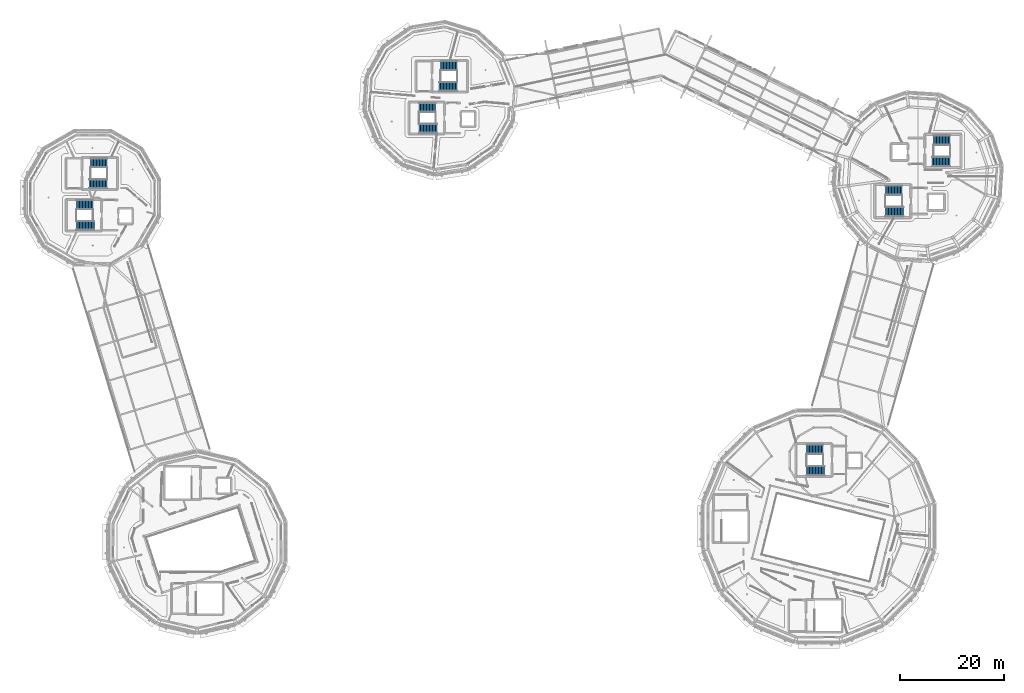
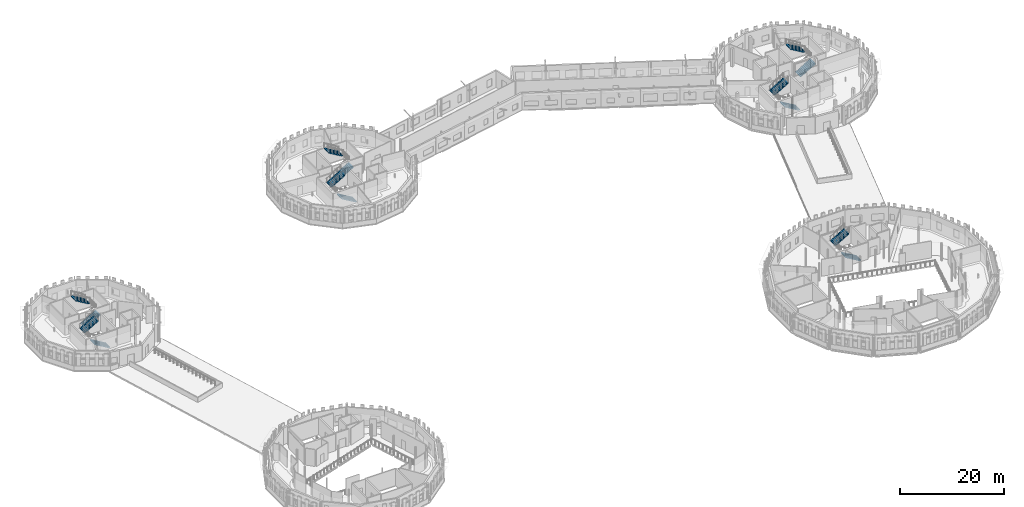
# One storey, part 54 of 68: 14 stair flights, 7 elements without a shape of their own.
"""IFC4 building model written with IfcOpenShell, lengths in metres."""

from ifc_helpers import new_model, si_unit, direction, frame, origin, place, context, subcontext, project, spatial, polyline, outline, extrude, material, type_object, element, aggregate, save


model = new_model("IFC4")

# Units and contexts
model_context = context("Model", 3, precision=1e-05, world=origin(), true_north=direction((0.0, 1.0)))
body_context = subcontext(model_context, "Body", "Model", "MODEL_VIEW")
ifc_project = project(units=[si_unit("LENGTHUNIT", "METRE"), si_unit("AREAUNIT", "SQUARE_METRE"), si_unit("VOLUMEUNIT", "CUBIC_METRE"), si_unit("PLANEANGLEUNIT", "RADIAN"), si_unit("MASSUNIT", "GRAM", prefix="KILO")], contexts=[model_context])

# Site, building, storey
site_placement = place(None, origin())
site = spatial("IfcSite", under=ifc_project, at=site_placement, CompositionType="ELEMENT")
building_placement = place(site_placement, origin())
building = spatial("IfcBuilding", under=site, at=building_placement, Name="Wrenclough Park School", CompositionType="ELEMENT")
storey_placement = place(building_placement, frame((0.0, 0.0, 12.60009765625)))
storey = spatial("IfcBuildingStorey", under=building, at=storey_placement, Name="L03", CompositionType="ELEMENT", Elevation=12.60009765625)

# Stair, stair flights
ifc_material = material(Name="Precast concrete C40/50", Category="concrete")
stair_type_1 = type_object("IfcStairType", Name="INT-ST-180-42", PredefinedType="HALF_TURN_STAIR", material=ifc_material)
stair_1_placement = place(storey_placement, origin())
stair_1 = element("IfcStair", 1, at=stair_1_placement, inside=storey, type_object=stair_type_1, Name="L03 escape stair ST-03", PredefinedType="HALF_TURN_STAIR")
stair_flight_type_1 = type_object("IfcStairFlightType", Name="INT-FL-180-168", PredefinedType="STRAIGHT", material=ifc_material)
stair_flight_1_placement = place(storey_placement, frame((16.840087890625, 84.10009765625, 0.0), z_axis=(0.0, 0.0, 1.0), x_axis=(-1.0, 0.0, 0.0)))
stair_flight_1 = element("IfcStairFlight", 2, at=stair_flight_1_placement, type_object=stair_flight_type_1, Name="ST-03 flight 1", NumberOfRisers=13, NumberOfTreads=12, PredefinedType="STRAIGHT", RiserHeight=0.168, TreadLength=0.285, context=body_context, shape_type="SweptSolid", body=[
    extrude(outline(polyline([(0.0, 0.0), (0.0, 0.16796875), (0.284912109375, 0.16796875), (0.284912109375, 0.3359375), (0.570068359375, 0.3359375), (0.570068359375, 0.50390625), (0.85498046875, 0.50390625), (0.85498046875, 0.672119140625), (1.139892578125, 0.672119140625), (1.139892578125, 0.840087890625), (1.425048828125, 0.840087890625), (1.425048828125, 1.008056640625), (1.7099609375, 1.008056640625), (1.7099609375, 1.176025390625), (1.9951171875, 1.176025390625), (1.9951171875, 1.343994140625), (2.280029296875, 1.343994140625), (2.280029296875, 1.511962890625), (2.56494140625, 1.511962890625), (2.56494140625, 1.679931640625), (2.85009765625, 1.679931640625), (2.85009765625, 1.847900390625), (3.135009765625, 1.847900390625), (3.135009765625, 2.01611328125), (3.419921875, 2.01611328125), (3.419921875, 2.18408203125), (3.419921875, 1.80712890625), (0.354248046875, 0.0), (0.0, 0.0)])), frame((0.0, 0.89990234375, 0.0), z_axis=(0.0, -1.0, 0.0), x_axis=(1.0, 0.0, 0.0)), (0.0, 0.0, 1.0), 1.800048828125),
])
stair_flight_2_placement = place(storey_placement, frame((13.419921875, 88.10009765625, 2.183837890625), z_axis=(0.0, 0.0, 1.0), x_axis=(1.0, 0.0, 0.0)))
stair_flight_2 = element("IfcStairFlight", 3, at=stair_flight_2_placement, type_object=stair_flight_type_1, Name="ST-03 flight 2", NumberOfRisers=12, NumberOfTreads=11, PredefinedType="STRAIGHT", RiserHeight=0.168, TreadLength=0.285, context=body_context, shape_type="SweptSolid", body=[
    extrude(outline(polyline([(0.0, 0.0), (0.0, 0.16796875), (0.284912109375, 0.16796875), (0.284912109375, 0.3359375), (0.570068359375, 0.3359375), (0.570068359375, 0.50390625), (0.85498046875, 0.50390625), (0.85498046875, 0.672119140625), (1.139892578125, 0.672119140625), (1.139892578125, 0.840087890625), (1.425048828125, 0.840087890625), (1.425048828125, 1.008056640625), (1.7099609375, 1.008056640625), (1.7099609375, 1.176025390625), (1.9951171875, 1.176025390625), (1.9951171875, 1.343994140625), (2.280029296875, 1.343994140625), (2.280029296875, 1.511962890625), (2.56494140625, 1.511962890625), (2.56494140625, 1.679931640625), (2.85009765625, 1.679931640625), (2.85009765625, 1.847900390625), (3.135009765625, 1.847900390625), (3.135009765625, 2.01611328125), (3.135009765625, 1.63916015625), (0.354248046875, 0.0), (0.0, 0.0)])), frame((0.0, 0.89990234375, 0.0), z_axis=(0.0, -1.0, 0.0), x_axis=(1.0, 0.0, 0.0)), (0.0, 0.0, 1.0), 1.800048828125),
])
aggregate(stair_1, [stair_flight_1, stair_flight_2])

stair_2_placement = place(storey_placement, origin())
stair_2 = element("IfcStair", 4, at=stair_2_placement, inside=storey, type_object=stair_type_1, Name="L03 escape stair ST-07", PredefinedType="HALF_TURN_STAIR")
stair_flight_3_placement = place(storey_placement, frame((15.860107421875, 92.10009765625, 0.0), z_axis=(0.0, 0.0, 1.0), x_axis=(1.0, 0.0, 0.0)))
stair_flight_3 = element("IfcStairFlight", 5, at=stair_flight_3_placement, type_object=stair_flight_type_1, Name="ST-07 flight 1", NumberOfRisers=13, NumberOfTreads=12, PredefinedType="STRAIGHT", RiserHeight=0.168, TreadLength=0.285, context=body_context, shape_type="SweptSolid", body=[
    extrude(outline(polyline([(0.0, 0.0), (0.0, 0.16796875), (0.284912109375, 0.16796875), (0.284912109375, 0.3359375), (0.570068359375, 0.3359375), (0.570068359375, 0.50390625), (0.85498046875, 0.50390625), (0.85498046875, 0.672119140625), (1.139892578125, 0.672119140625), (1.139892578125, 0.840087890625), (1.425048828125, 0.840087890625), (1.425048828125, 1.008056640625), (1.7099609375, 1.008056640625), (1.7099609375, 1.176025390625), (1.9951171875, 1.176025390625), (1.9951171875, 1.343994140625), (2.280029296875, 1.343994140625), (2.280029296875, 1.511962890625), (2.56494140625, 1.511962890625), (2.56494140625, 1.679931640625), (2.85009765625, 1.679931640625), (2.85009765625, 1.847900390625), (3.135009765625, 1.847900390625), (3.135009765625, 2.01611328125), (3.419921875, 2.01611328125), (3.419921875, 2.18408203125), (3.419921875, 1.80712890625), (0.354248046875, 0.0), (0.0, 0.0)])), frame((0.0, 0.89990234375, 0.0), z_axis=(0.0, -1.0, 0.0), x_axis=(1.0, 0.0, 0.0)), (0.0, 0.0, 1.0), 1.800048828125),
])
stair_flight_4_placement = place(storey_placement, frame((19.280029296875, 96.10009765625, 2.183837890625), z_axis=(0.0, 0.0, 1.0), x_axis=(-1.0, 0.0, 0.0)))
stair_flight_4 = element("IfcStairFlight", 6, at=stair_flight_4_placement, type_object=stair_flight_type_1, Name="ST-07 flight 2", NumberOfRisers=12, NumberOfTreads=11, PredefinedType="STRAIGHT", RiserHeight=0.168, TreadLength=0.285, context=body_context, shape_type="SweptSolid", body=[
    extrude(outline(polyline([(0.0, 0.0), (0.0, 0.16796875), (0.284912109375, 0.16796875), (0.284912109375, 0.3359375), (0.570068359375, 0.3359375), (0.570068359375, 0.50390625), (0.85498046875, 0.50390625), (0.85498046875, 0.672119140625), (1.139892578125, 0.672119140625), (1.139892578125, 0.840087890625), (1.425048828125, 0.840087890625), (1.425048828125, 1.008056640625), (1.7099609375, 1.008056640625), (1.7099609375, 1.176025390625), (1.9951171875, 1.176025390625), (1.9951171875, 1.343994140625), (2.280029296875, 1.343994140625), (2.280029296875, 1.511962890625), (2.56494140625, 1.511962890625), (2.56494140625, 1.679931640625), (2.85009765625, 1.679931640625), (2.85009765625, 1.847900390625), (3.135009765625, 1.847900390625), (3.135009765625, 2.01611328125), (3.135009765625, 1.63916015625), (0.354248046875, 0.0), (0.0, 0.0)])), frame((0.0, 0.89990234375, 0.0), z_axis=(0.0, -1.0, 0.0), x_axis=(1.0, 0.0, 0.0)), (0.0, 0.0, 1.0), 1.800048828125),
])
aggregate(stair_2, [stair_flight_3, stair_flight_4])

stair_3_placement = place(storey_placement, origin())
stair_3 = element("IfcStair", 7, at=stair_3_placement, inside=storey, type_object=stair_type_1, Name="L03 escape stair ST-04", PredefinedType="HALF_TURN_STAIR")
stair_flight_5_placement = place(storey_placement, frame((82.43994140625, 102.699951171875, 0.0), z_axis=(0.0, 0.0, 1.0), x_axis=(-1.0, 0.0, 0.0)))
stair_flight_5 = element("IfcStairFlight", 8, at=stair_flight_5_placement, type_object=stair_flight_type_1, Name="ST-04 flight 1", NumberOfRisers=13, NumberOfTreads=12, PredefinedType="STRAIGHT", RiserHeight=0.168, TreadLength=0.285, context=body_context, shape_type="SweptSolid", body=[
    extrude(outline(polyline([(0.0, 0.0), (0.0, 0.16796875), (0.284912109375, 0.16796875), (0.284912109375, 0.3359375), (0.570068359375, 0.3359375), (0.570068359375, 0.50390625), (0.85498046875, 0.50390625), (0.85498046875, 0.672119140625), (1.139892578125, 0.672119140625), (1.139892578125, 0.840087890625), (1.425048828125, 0.840087890625), (1.425048828125, 1.008056640625), (1.7099609375, 1.008056640625), (1.7099609375, 1.176025390625), (1.9951171875, 1.176025390625), (1.9951171875, 1.343994140625), (2.280029296875, 1.343994140625), (2.280029296875, 1.511962890625), (2.56494140625, 1.511962890625), (2.56494140625, 1.679931640625), (2.85009765625, 1.679931640625), (2.85009765625, 1.847900390625), (3.135009765625, 1.847900390625), (3.135009765625, 2.01611328125), (3.419921875, 2.01611328125), (3.419921875, 2.18408203125), (3.419921875, 1.80712890625), (0.354248046875, 0.0), (0.0, 0.0)])), frame((0.0, 0.89990234375, 0.0), z_axis=(0.0, -1.0, 0.0), x_axis=(1.0, 0.0, 0.0)), (0.0, 0.0, 1.0), 1.800048828125),
])
stair_flight_6_placement = place(storey_placement, frame((79.02001953125, 106.699951171875, 2.183837890625), z_axis=(0.0, 0.0, 1.0), x_axis=(1.0, 0.0, 0.0)))
stair_flight_6 = element("IfcStairFlight", 9, at=stair_flight_6_placement, type_object=stair_flight_type_1, Name="ST-04 flight 2", NumberOfRisers=12, NumberOfTreads=11, PredefinedType="STRAIGHT", RiserHeight=0.168, TreadLength=0.285, context=body_context, shape_type="SweptSolid", body=[
    extrude(outline(polyline([(0.0, 0.0), (0.0, 0.16796875), (0.284912109375, 0.16796875), (0.284912109375, 0.3359375), (0.570068359375, 0.3359375), (0.570068359375, 0.50390625), (0.85498046875, 0.50390625), (0.85498046875, 0.672119140625), (1.139892578125, 0.672119140625), (1.139892578125, 0.840087890625), (1.425048828125, 0.840087890625), (1.425048828125, 1.008056640625), (1.7099609375, 1.008056640625), (1.7099609375, 1.176025390625), (1.9951171875, 1.176025390625), (1.9951171875, 1.343994140625), (2.280029296875, 1.343994140625), (2.280029296875, 1.511962890625), (2.56494140625, 1.511962890625), (2.56494140625, 1.679931640625), (2.85009765625, 1.679931640625), (2.85009765625, 1.847900390625), (3.135009765625, 1.847900390625), (3.135009765625, 2.01611328125), (3.135009765625, 1.63916015625), (0.354248046875, 0.0), (0.0, 0.0)])), frame((0.0, 0.89990234375, 0.0), z_axis=(0.0, -1.0, 0.0), x_axis=(1.0, 0.0, 0.0)), (0.0, 0.0, 1.0), 1.800048828125),
])
aggregate(stair_3, [stair_flight_5, stair_flight_6])

stair_4_placement = place(storey_placement, origin())
stair_4 = element("IfcStair", 10, at=stair_4_placement, inside=storey, type_object=stair_type_1, Name="L03 escape stair ST-08", PredefinedType="HALF_TURN_STAIR")
stair_flight_7_placement = place(storey_placement, frame((82.860107421875, 110.699951171875, 0.0), z_axis=(0.0, 0.0, 1.0), x_axis=(1.0, 0.0, 0.0)))
stair_flight_7 = element("IfcStairFlight", 11, at=stair_flight_7_placement, type_object=stair_flight_type_1, Name="ST-08 flight 1", NumberOfRisers=13, NumberOfTreads=12, PredefinedType="STRAIGHT", RiserHeight=0.168, TreadLength=0.285, context=body_context, shape_type="SweptSolid", body=[
    extrude(outline(polyline([(0.0, 0.0), (0.0, 0.16796875), (0.284912109375, 0.16796875), (0.284912109375, 0.3359375), (0.570068359375, 0.3359375), (0.570068359375, 0.50390625), (0.85498046875, 0.50390625), (0.85498046875, 0.672119140625), (1.139892578125, 0.672119140625), (1.139892578125, 0.840087890625), (1.425048828125, 0.840087890625), (1.425048828125, 1.008056640625), (1.7099609375, 1.008056640625), (1.7099609375, 1.176025390625), (1.9951171875, 1.176025390625), (1.9951171875, 1.343994140625), (2.280029296875, 1.343994140625), (2.280029296875, 1.511962890625), (2.56494140625, 1.511962890625), (2.56494140625, 1.679931640625), (2.85009765625, 1.679931640625), (2.85009765625, 1.847900390625), (3.135009765625, 1.847900390625), (3.135009765625, 2.01611328125), (3.419921875, 2.01611328125), (3.419921875, 2.18408203125), (3.419921875, 1.80712890625), (0.354248046875, 0.0), (0.0, 0.0)])), frame((0.0, 0.89990234375, 0.0), z_axis=(0.0, -1.0, 0.0), x_axis=(1.0, 0.0, 0.0)), (0.0, 0.0, 1.0), 1.800048828125),
])
stair_flight_8_placement = place(storey_placement, frame((86.280029296875, 114.699951171875, 2.183837890625), z_axis=(0.0, 0.0, 1.0), x_axis=(-1.0, 0.0, 0.0)))
stair_flight_8 = element("IfcStairFlight", 12, at=stair_flight_8_placement, type_object=stair_flight_type_1, Name="ST-08 flight 2", NumberOfRisers=12, NumberOfTreads=11, PredefinedType="STRAIGHT", RiserHeight=0.168, TreadLength=0.285, context=body_context, shape_type="SweptSolid", body=[
    extrude(outline(polyline([(0.0, 0.0), (0.0, 0.16796875), (0.284912109375, 0.16796875), (0.284912109375, 0.3359375), (0.570068359375, 0.3359375), (0.570068359375, 0.50390625), (0.85498046875, 0.50390625), (0.85498046875, 0.672119140625), (1.139892578125, 0.672119140625), (1.139892578125, 0.840087890625), (1.425048828125, 0.840087890625), (1.425048828125, 1.008056640625), (1.7099609375, 1.008056640625), (1.7099609375, 1.176025390625), (1.9951171875, 1.176025390625), (1.9951171875, 1.343994140625), (2.280029296875, 1.343994140625), (2.280029296875, 1.511962890625), (2.56494140625, 1.511962890625), (2.56494140625, 1.679931640625), (2.85009765625, 1.679931640625), (2.85009765625, 1.847900390625), (3.135009765625, 1.847900390625), (3.135009765625, 2.01611328125), (3.135009765625, 1.63916015625), (0.354248046875, 0.0), (0.0, 0.0)])), frame((0.0, 0.89990234375, 0.0), z_axis=(0.0, -1.0, 0.0), x_axis=(1.0, 0.0, 0.0)), (0.0, 0.0, 1.0), 1.800048828125),
])
aggregate(stair_4, [stair_flight_7, stair_flight_8])

stair_type_2 = type_object("IfcStairType", Name="INT-ST-190-42", PredefinedType="HALF_TURN_STAIR", material=ifc_material)
stair_5_placement = place(storey_placement, origin())
stair_5 = element("IfcStair", 13, at=stair_5_placement, inside=storey, type_object=stair_type_2, Name="L03 escape stair ST-01", PredefinedType="HALF_TURN_STAIR")
stair_flight_type_2 = type_object("IfcStairFlightType", Name="INT-FL-190-168", PredefinedType="STRAIGHT", material=ifc_material)
stair_flight_9_placement = place(storey_placement, frame((156.639892578125, 37.14990234375, 0.0), z_axis=(0.0, 0.0, 1.0), x_axis=(-1.0, 0.0, 0.0)))
stair_flight_9 = element("IfcStairFlight", 14, at=stair_flight_9_placement, type_object=stair_flight_type_2, Name="ST-01 flight 1", NumberOfRisers=13, NumberOfTreads=12, PredefinedType="STRAIGHT", RiserHeight=0.168, TreadLength=0.285, context=body_context, shape_type="SweptSolid", body=[
    extrude(outline(polyline([(0.0, 0.0), (0.0, 0.16796875), (0.284912109375, 0.16796875), (0.284912109375, 0.3359375), (0.570068359375, 0.3359375), (0.570068359375, 0.50390625), (0.85498046875, 0.50390625), (0.85498046875, 0.672119140625), (1.139892578125, 0.672119140625), (1.139892578125, 0.840087890625), (1.425048828125, 0.840087890625), (1.425048828125, 1.008056640625), (1.7099609375, 1.008056640625), (1.7099609375, 1.176025390625), (1.9951171875, 1.176025390625), (1.9951171875, 1.343994140625), (2.280029296875, 1.343994140625), (2.280029296875, 1.511962890625), (2.56494140625, 1.511962890625), (2.56494140625, 1.679931640625), (2.85009765625, 1.679931640625), (2.85009765625, 1.847900390625), (3.135009765625, 1.847900390625), (3.135009765625, 2.01611328125), (3.419921875, 2.01611328125), (3.419921875, 2.18408203125), (3.419921875, 1.80126953125), (0.364501953125, 0.0), (0.0, 0.0)])), frame((0.0, 0.949951171875, 0.0), z_axis=(0.0, -1.0, 0.0), x_axis=(1.0, 0.0, 0.0)), (0.0, 0.0, 1.0), 1.89990234375),
])
stair_flight_10_placement = place(storey_placement, frame((153.219970703125, 41.25, 2.183837890625), z_axis=(0.0, 0.0, 1.0), x_axis=(1.0, 0.0, 0.0)))
stair_flight_10 = element("IfcStairFlight", 15, at=stair_flight_10_placement, type_object=stair_flight_type_2, Name="ST-01 flight 2", NumberOfRisers=12, NumberOfTreads=11, PredefinedType="STRAIGHT", RiserHeight=0.168, TreadLength=0.285, context=body_context, shape_type="SweptSolid", body=[
    extrude(outline(polyline([(0.0, 0.0), (0.0, 0.16796875), (0.284912109375, 0.16796875), (0.284912109375, 0.3359375), (0.570068359375, 0.3359375), (0.570068359375, 0.50390625), (0.85498046875, 0.50390625), (0.85498046875, 0.672119140625), (1.139892578125, 0.672119140625), (1.139892578125, 0.840087890625), (1.425048828125, 0.840087890625), (1.425048828125, 1.008056640625), (1.7099609375, 1.008056640625), (1.7099609375, 1.176025390625), (1.9951171875, 1.176025390625), (1.9951171875, 1.343994140625), (2.280029296875, 1.343994140625), (2.280029296875, 1.511962890625), (2.56494140625, 1.511962890625), (2.56494140625, 1.679931640625), (2.85009765625, 1.679931640625), (2.85009765625, 1.847900390625), (3.135009765625, 1.847900390625), (3.135009765625, 2.01611328125), (3.135009765625, 1.63330078125), (0.364501953125, 0.0), (0.0, 0.0)])), frame((0.0, 0.949951171875, 0.0), z_axis=(0.0, -1.0, 0.0), x_axis=(1.0, 0.0, 0.0)), (0.0, 0.0, 1.0), 1.89990234375),
])
aggregate(stair_5, [stair_flight_9, stair_flight_10])

stair_6_placement = place(storey_placement, origin())
stair_6 = element("IfcStair", 16, at=stair_6_placement, inside=storey, type_object=stair_type_2, Name="L03 escape stair ST-05", PredefinedType="HALF_TURN_STAIR")
stair_flight_11_placement = place(storey_placement, frame((171.739990234375, 86.75, 0.0), z_axis=(0.0, 0.0, 1.0), x_axis=(-1.0, 0.0, 0.0)))
stair_flight_11 = element("IfcStairFlight", 17, at=stair_flight_11_placement, type_object=stair_flight_type_2, Name="ST-05 flight 1", NumberOfRisers=13, NumberOfTreads=12, PredefinedType="STRAIGHT", RiserHeight=0.168, TreadLength=0.285, context=body_context, shape_type="SweptSolid", body=[
    extrude(outline(polyline([(0.0, 0.0), (0.0, 0.16796875), (0.284912109375, 0.16796875), (0.284912109375, 0.3359375), (0.570068359375, 0.3359375), (0.570068359375, 0.50390625), (0.85498046875, 0.50390625), (0.85498046875, 0.672119140625), (1.139892578125, 0.672119140625), (1.139892578125, 0.840087890625), (1.425048828125, 0.840087890625), (1.425048828125, 1.008056640625), (1.7099609375, 1.008056640625), (1.7099609375, 1.176025390625), (1.9951171875, 1.176025390625), (1.9951171875, 1.343994140625), (2.280029296875, 1.343994140625), (2.280029296875, 1.511962890625), (2.56494140625, 1.511962890625), (2.56494140625, 1.679931640625), (2.85009765625, 1.679931640625), (2.85009765625, 1.847900390625), (3.135009765625, 1.847900390625), (3.135009765625, 2.01611328125), (3.419921875, 2.01611328125), (3.419921875, 2.18408203125), (3.419921875, 1.80126953125), (0.364501953125, 0.0), (0.0, 0.0)])), frame((0.0, 0.949951171875, 0.0), z_axis=(0.0, -1.0, 0.0), x_axis=(1.0, 0.0, 0.0)), (0.0, 0.0, 1.0), 1.89990234375),
])
stair_flight_12_placement = place(storey_placement, frame((168.320068359375, 90.85009765625, 2.183837890625), z_axis=(0.0, 0.0, 1.0), x_axis=(1.0, 0.0, 0.0)))
stair_flight_12 = element("IfcStairFlight", 18, at=stair_flight_12_placement, type_object=stair_flight_type_2, Name="ST-05 flight 2", NumberOfRisers=12, NumberOfTreads=11, PredefinedType="STRAIGHT", RiserHeight=0.168, TreadLength=0.285, context=body_context, shape_type="SweptSolid", body=[
    extrude(outline(polyline([(0.0, 0.0), (0.0, 0.16796875), (0.284912109375, 0.16796875), (0.284912109375, 0.3359375), (0.570068359375, 0.3359375), (0.570068359375, 0.50390625), (0.85498046875, 0.50390625), (0.85498046875, 0.672119140625), (1.139892578125, 0.672119140625), (1.139892578125, 0.840087890625), (1.425048828125, 0.840087890625), (1.425048828125, 1.008056640625), (1.7099609375, 1.008056640625), (1.7099609375, 1.176025390625), (1.9951171875, 1.176025390625), (1.9951171875, 1.343994140625), (2.280029296875, 1.343994140625), (2.280029296875, 1.511962890625), (2.56494140625, 1.511962890625), (2.56494140625, 1.679931640625), (2.85009765625, 1.679931640625), (2.85009765625, 1.847900390625), (3.135009765625, 1.847900390625), (3.135009765625, 2.01611328125), (3.135009765625, 1.63330078125), (0.364501953125, 0.0), (0.0, 0.0)])), frame((0.0, 0.949951171875, 0.0), z_axis=(0.0, -1.0, 0.0), x_axis=(1.0, 0.0, 0.0)), (0.0, 0.0, 1.0), 1.89990234375),
])
aggregate(stair_6, [stair_flight_11, stair_flight_12])

stair_7_placement = place(storey_placement, origin())
stair_7 = element("IfcStair", 19, at=stair_7_placement, inside=storey, type_object=stair_type_2, Name="L03 escape stair ST-06", PredefinedType="HALF_TURN_STAIR")
stair_flight_13_placement = place(storey_placement, frame((177.260009765625, 96.35009765625, 0.0), z_axis=(0.0, 0.0, 1.0), x_axis=(1.0, 0.0, 0.0)))
stair_flight_13 = element("IfcStairFlight", 20, at=stair_flight_13_placement, type_object=stair_flight_type_2, Name="ST-06 flight 1", NumberOfRisers=13, NumberOfTreads=12, PredefinedType="STRAIGHT", RiserHeight=0.168, TreadLength=0.285, context=body_context, shape_type="SweptSolid", body=[
    extrude(outline(polyline([(0.0, 0.0), (0.0, 0.16796875), (0.284912109375, 0.16796875), (0.284912109375, 0.3359375), (0.570068359375, 0.3359375), (0.570068359375, 0.50390625), (0.85498046875, 0.50390625), (0.85498046875, 0.672119140625), (1.139892578125, 0.672119140625), (1.139892578125, 0.840087890625), (1.425048828125, 0.840087890625), (1.425048828125, 1.008056640625), (1.7099609375, 1.008056640625), (1.7099609375, 1.176025390625), (1.9951171875, 1.176025390625), (1.9951171875, 1.343994140625), (2.280029296875, 1.343994140625), (2.280029296875, 1.511962890625), (2.56494140625, 1.511962890625), (2.56494140625, 1.679931640625), (2.85009765625, 1.679931640625), (2.85009765625, 1.847900390625), (3.135009765625, 1.847900390625), (3.135009765625, 2.01611328125), (3.419921875, 2.01611328125), (3.419921875, 2.18408203125), (3.419921875, 1.80126953125), (0.364501953125, 0.0), (0.0, 0.0)])), frame((0.0, 0.949951171875, 0.0), z_axis=(0.0, -1.0, 0.0), x_axis=(1.0, 0.0, 0.0)), (0.0, 0.0, 1.0), 1.89990234375),
])
stair_flight_14_placement = place(storey_placement, frame((180.679931640625, 100.449951171875, 2.183837890625), z_axis=(0.0, 0.0, 1.0), x_axis=(-1.0, 0.0, 0.0)))
stair_flight_14 = element("IfcStairFlight", 21, at=stair_flight_14_placement, type_object=stair_flight_type_2, Name="ST-06 flight 2", NumberOfRisers=12, NumberOfTreads=11, PredefinedType="STRAIGHT", RiserHeight=0.168, TreadLength=0.285, context=body_context, shape_type="SweptSolid", body=[
    extrude(outline(polyline([(0.0, 0.0), (0.0, 0.16796875), (0.284912109375, 0.16796875), (0.284912109375, 0.3359375), (0.570068359375, 0.3359375), (0.570068359375, 0.50390625), (0.85498046875, 0.50390625), (0.85498046875, 0.672119140625), (1.139892578125, 0.672119140625), (1.139892578125, 0.840087890625), (1.425048828125, 0.840087890625), (1.425048828125, 1.008056640625), (1.7099609375, 1.008056640625), (1.7099609375, 1.176025390625), (1.9951171875, 1.176025390625), (1.9951171875, 1.343994140625), (2.280029296875, 1.343994140625), (2.280029296875, 1.511962890625), (2.56494140625, 1.511962890625), (2.56494140625, 1.679931640625), (2.85009765625, 1.679931640625), (2.85009765625, 1.847900390625), (3.135009765625, 1.847900390625), (3.135009765625, 2.01611328125), (3.135009765625, 1.63330078125), (0.364501953125, 0.0), (0.0, 0.0)])), frame((0.0, 0.949951171875, 0.0), z_axis=(0.0, -1.0, 0.0), x_axis=(1.0, 0.0, 0.0)), (0.0, 0.0, 1.0), 1.89990234375),
])
aggregate(stair_7, [stair_flight_13, stair_flight_14])

save(model, "model.ifc")
